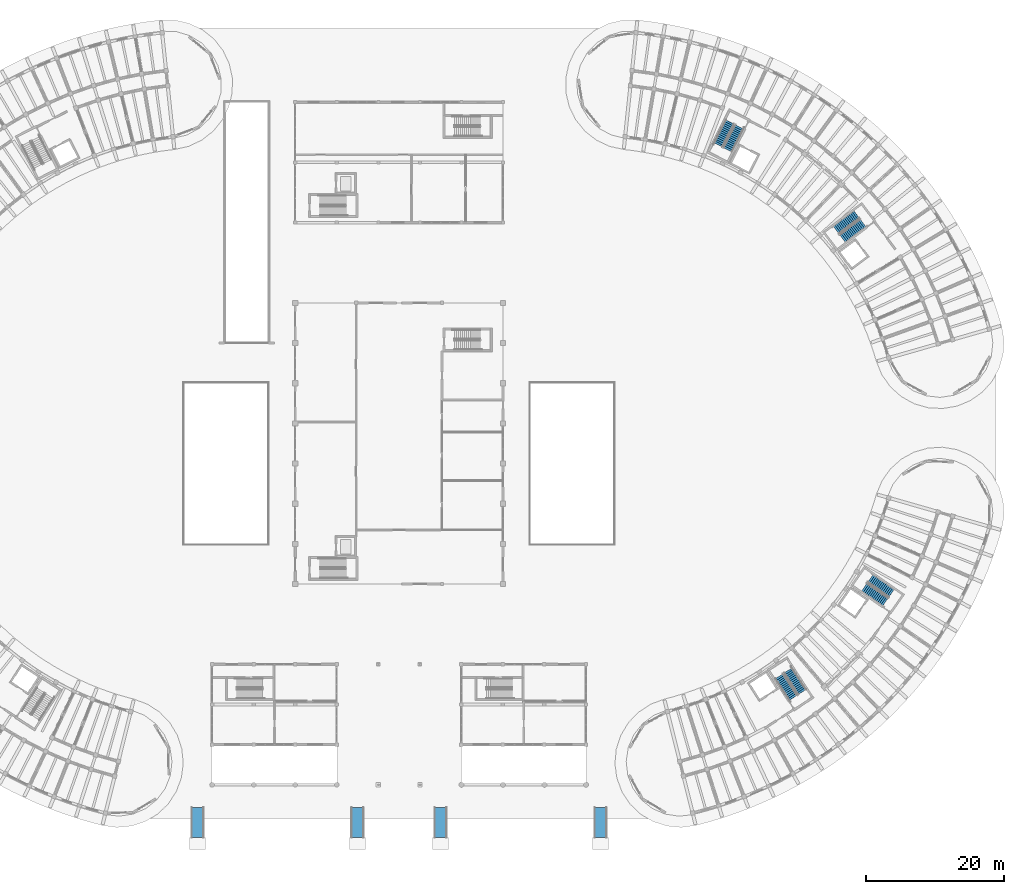
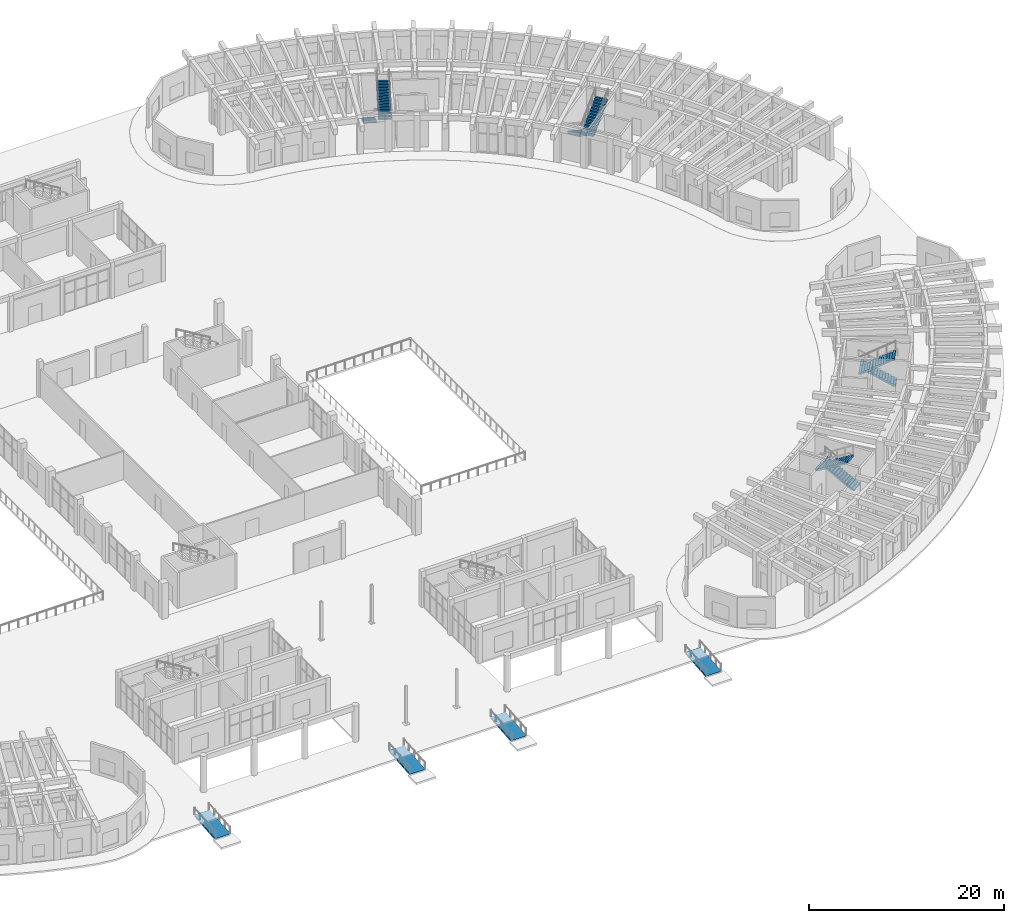
# One storey, part 110 of 132: 8 stair flights, 4 ramp flights, 8 elements without a shape of their own.
"""IFC4 building model written with IfcOpenShell, lengths in metres."""

from ifc_helpers import new_model, si_unit, direction, frame, origin, place, context, subcontext, project, spatial, polyline, outline, extrude, material, layer, layer_set, type_object, element, aggregate, save


model = new_model("IFC4")

# Units and contexts
model_context = context("Model", 3, precision=1e-05, world=origin(), true_north=direction((0.0, 1.0)))
body_context = subcontext(model_context, "Body", "Model", "MODEL_VIEW")
ifc_project = project(units=[si_unit("LENGTHUNIT", "METRE"), si_unit("AREAUNIT", "SQUARE_METRE"), si_unit("VOLUMEUNIT", "CUBIC_METRE"), si_unit("PLANEANGLEUNIT", "RADIAN"), si_unit("MASSUNIT", "GRAM", prefix="KILO")], contexts=[model_context])

# Site, building, storey
site_placement = place(None, origin())
site = spatial("IfcSite", under=ifc_project, at=site_placement, CompositionType="ELEMENT")
building_placement = place(site_placement, origin())
building = spatial("IfcBuilding", under=site, at=building_placement, Name="Tanwirah Colonnade Gardens", CompositionType="ELEMENT")
storey_placement = place(building_placement, origin())
storey = spatial("IfcBuildingStorey", under=building, at=storey_placement, Name="L00", CompositionType="ELEMENT", Elevation=0.0)

# Stair, stair flights
ifc_material_1 = material(Name="Precast concrete C40/50", Category="concrete")
stair_type = type_object("IfcStairType", Name="ST-RES170", PredefinedType="HALF_TURN_STAIR", material=ifc_material_1)
stair_1_placement = place(storey_placement, origin())
stair_1 = element("IfcStair", 1, at=stair_1_placement, inside=storey, type_object=stair_type, Name="L00 Block B Core 1 Exit Stair", PredefinedType="HALF_TURN_STAIR")
ifc_layer_1 = layer(ifc_material_1, 0.1650390625)
ifc_layer_set_1 = layer_set([ifc_layer_1], Name="Precast concrete C40/50")
stair_flight_type = type_object("IfcStairFlightType", Name="FLT-RES165", PredefinedType="STRAIGHT", material=ifc_layer_set_1)
stair_flight_1_placement = place(storey_placement, frame((159.079345703125, 93.16455078125, 0.0), z_axis=(0.0, 0.0, 1.0), x_axis=(-0.798635510047, -0.601815023152, 0.0)))
stair_flight_1 = element("IfcStairFlight", 2, at=stair_flight_1_placement, type_object=stair_flight_type, Name="ST-B1 flight 1", NumberOfRisers=14, NumberOfTreads=13, PredefinedType="STRAIGHT", RiserHeight=0.17, TreadLength=0.285, context=body_context, shape_type="SweptSolid", body=[
    extrude(outline(polyline([(-0.0048828125, 0.0), (0.0, 0.169921875), (0.284912109375, 0.169921875), (0.284912109375, 0.340087890625), (0.570068359375, 0.340087890625), (0.570068359375, 0.510009765625), (0.85498046875, 0.510009765625), (0.85498046875, 0.679931640625), (1.139892578125, 0.679931640625), (1.139892578125, 0.85009765625), (1.425048828125, 0.85009765625), (1.425048828125, 1.02001953125), (1.7099609375, 1.02001953125), (1.7099609375, 1.18994140625), (1.9951171875, 1.18994140625), (1.9951171875, 1.360107421875), (2.280029296875, 1.360107421875), (2.280029296875, 1.530029296875), (2.56494140625, 1.530029296875), (2.56494140625, 1.699951171875), (2.85009765625, 1.699951171875), (2.85009765625, 1.8701171875), (3.135009765625, 1.8701171875), (3.135009765625, 2.0400390625), (3.419921875, 2.0400390625), (3.419921875, 2.2099609375), (3.705078125, 2.2099609375), (3.7099609375, 2.3798828125), (3.7099609375, 2.017822265625), (0.3271484375, 0.0), (-0.0048828125, 0.0)])), frame((0.0, 0.68994140625, 0.0), z_axis=(0.0, -1.0, 0.0), x_axis=(1.0, 0.0, 0.0)), (0.0, 0.0, 1.0), 1.3798828125),
])
stair_flight_2_placement = place(storey_placement, frame((157.047119140625, 89.704833984375, 2.3798828125), z_axis=(0.0, 0.0, 1.0), x_axis=(0.798635510047, 0.601815023152, 0.0)))
stair_flight_2 = element("IfcStairFlight", 3, at=stair_flight_2_placement, type_object=stair_flight_type, Name="ST-B1 flight 2", NumberOfRisers=14, NumberOfTreads=13, PredefinedType="STRAIGHT", RiserHeight=0.17, TreadLength=0.285, context=body_context, shape_type="SweptSolid", body=[
    extrude(outline(polyline([(-0.0048828125, 0.0), (0.0, 0.169921875), (0.284912109375, 0.169921875), (0.284912109375, 0.340087890625), (0.570068359375, 0.340087890625), (0.570068359375, 0.510009765625), (0.85498046875, 0.510009765625), (0.85498046875, 0.679931640625), (1.139892578125, 0.679931640625), (1.139892578125, 0.85009765625), (1.425048828125, 0.85009765625), (1.425048828125, 1.02001953125), (1.7099609375, 1.02001953125), (1.7099609375, 1.18994140625), (1.9951171875, 1.18994140625), (1.9951171875, 1.360107421875), (2.280029296875, 1.360107421875), (2.280029296875, 1.530029296875), (2.56494140625, 1.530029296875), (2.56494140625, 1.699951171875), (2.85009765625, 1.699951171875), (2.85009765625, 1.8701171875), (3.135009765625, 1.8701171875), (3.135009765625, 2.0400390625), (3.419921875, 2.0400390625), (3.419921875, 2.2099609375), (3.705078125, 2.2099609375), (3.7099609375, 2.3798828125), (3.7099609375, 2.017822265625), (0.3271484375, 0.0), (-0.0048828125, 0.0)])), frame((0.0, 0.68994140625, 0.0), z_axis=(0.0, -1.0, 0.0), x_axis=(1.0, 0.0, 0.0)), (0.0, 0.0, 1.0), 1.3798828125),
])
aggregate(stair_1, [stair_flight_1, stair_flight_2])

stair_2_placement = place(storey_placement, origin())
stair_2 = element("IfcStair", 4, at=stair_2_placement, inside=storey, type_object=stair_type, Name="L00 Block B Core 2 Exit Stair", PredefinedType="HALF_TURN_STAIR")
stair_flight_3_placement = place(storey_placement, frame((140.774658203125, 106.521240234375, 0.0), z_axis=(0.0, 0.0, 1.0), x_axis=(-0.45399049974, -0.891006524188, 0.0)))
stair_flight_3 = element("IfcStairFlight", 5, at=stair_flight_3_placement, type_object=stair_flight_type, Name="ST-B2 flight 1", NumberOfRisers=14, NumberOfTreads=13, PredefinedType="STRAIGHT", RiserHeight=0.17, TreadLength=0.285, context=body_context, shape_type="SweptSolid", body=[
    extrude(outline(polyline([(-0.0048828125, 0.0), (0.0, 0.169921875), (0.284912109375, 0.169921875), (0.284912109375, 0.340087890625), (0.570068359375, 0.340087890625), (0.570068359375, 0.510009765625), (0.85498046875, 0.510009765625), (0.85498046875, 0.679931640625), (1.139892578125, 0.679931640625), (1.139892578125, 0.85009765625), (1.425048828125, 0.85009765625), (1.425048828125, 1.02001953125), (1.7099609375, 1.02001953125), (1.7099609375, 1.18994140625), (1.9951171875, 1.18994140625), (1.9951171875, 1.360107421875), (2.280029296875, 1.360107421875), (2.280029296875, 1.530029296875), (2.56494140625, 1.530029296875), (2.56494140625, 1.699951171875), (2.85009765625, 1.699951171875), (2.85009765625, 1.8701171875), (3.135009765625, 1.8701171875), (3.135009765625, 2.0400390625), (3.419921875, 2.0400390625), (3.419921875, 2.2099609375), (3.705078125, 2.2099609375), (3.7099609375, 2.3798828125), (3.7099609375, 2.017822265625), (0.3271484375, 0.0), (-0.0048828125, 0.0)])), frame((0.0, 0.68994140625, 0.0), z_axis=(0.0, -1.0, 0.0), x_axis=(1.0, 0.0, 0.0)), (0.0, 0.0, 1.0), 1.3798828125),
])
stair_flight_4_placement = place(storey_placement, frame((140.46484375, 102.520751953125, 2.3798828125), z_axis=(0.0, 0.0, 1.0), x_axis=(0.45399049974, 0.891006524188, 0.0)))
stair_flight_4 = element("IfcStairFlight", 6, at=stair_flight_4_placement, type_object=stair_flight_type, Name="ST-B2 flight 2", NumberOfRisers=14, NumberOfTreads=13, PredefinedType="STRAIGHT", RiserHeight=0.17, TreadLength=0.285, context=body_context, shape_type="SweptSolid", body=[
    extrude(outline(polyline([(-0.0048828125, 0.0), (0.0, 0.169921875), (0.284912109375, 0.169921875), (0.284912109375, 0.340087890625), (0.570068359375, 0.340087890625), (0.570068359375, 0.510009765625), (0.85498046875, 0.510009765625), (0.85498046875, 0.679931640625), (1.139892578125, 0.679931640625), (1.139892578125, 0.85009765625), (1.425048828125, 0.85009765625), (1.425048828125, 1.02001953125), (1.7099609375, 1.02001953125), (1.7099609375, 1.18994140625), (1.9951171875, 1.18994140625), (1.9951171875, 1.360107421875), (2.280029296875, 1.360107421875), (2.280029296875, 1.530029296875), (2.56494140625, 1.530029296875), (2.56494140625, 1.699951171875), (2.85009765625, 1.699951171875), (2.85009765625, 1.8701171875), (3.135009765625, 1.8701171875), (3.135009765625, 2.0400390625), (3.419921875, 2.0400390625), (3.419921875, 2.2099609375), (3.705078125, 2.2099609375), (3.7099609375, 2.3798828125), (3.7099609375, 2.017822265625), (0.3271484375, 0.0), (-0.0048828125, 0.0)])), frame((0.0, 0.68994140625, 0.0), z_axis=(0.0, -1.0, 0.0), x_axis=(1.0, 0.0, 0.0)), (0.0, 0.0, 1.0), 1.3798828125),
])
aggregate(stair_2, [stair_flight_3, stair_flight_4])

stair_3_placement = place(storey_placement, origin())
stair_3 = element("IfcStair", 7, at=stair_3_placement, inside=storey, type_object=stair_type, Name="L00 Block D Core 1 Exit Stair", PredefinedType="HALF_TURN_STAIR")
stair_flight_5_placement = place(storey_placement, frame((151.22802734375, 24.214111328125, 0.0), z_axis=(0.0, 0.0, 1.0), x_axis=(-0.544639035015, 0.838670567945, 0.0)))
stair_flight_5 = element("IfcStairFlight", 8, at=stair_flight_5_placement, type_object=stair_flight_type, Name="ST-D1 flight 1", NumberOfRisers=14, NumberOfTreads=13, PredefinedType="STRAIGHT", RiserHeight=0.17, TreadLength=0.285, context=body_context, shape_type="SweptSolid", body=[
    extrude(outline(polyline([(-0.0048828125, 0.0), (0.0, 0.169921875), (0.284912109375, 0.169921875), (0.284912109375, 0.340087890625), (0.570068359375, 0.340087890625), (0.570068359375, 0.510009765625), (0.85498046875, 0.510009765625), (0.85498046875, 0.679931640625), (1.139892578125, 0.679931640625), (1.139892578125, 0.85009765625), (1.425048828125, 0.85009765625), (1.425048828125, 1.02001953125), (1.7099609375, 1.02001953125), (1.7099609375, 1.18994140625), (1.9951171875, 1.18994140625), (1.9951171875, 1.360107421875), (2.280029296875, 1.360107421875), (2.280029296875, 1.530029296875), (2.56494140625, 1.530029296875), (2.56494140625, 1.699951171875), (2.85009765625, 1.699951171875), (2.85009765625, 1.8701171875), (3.135009765625, 1.8701171875), (3.135009765625, 2.0400390625), (3.419921875, 2.0400390625), (3.419921875, 2.2099609375), (3.705078125, 2.2099609375), (3.7099609375, 2.3798828125), (3.7099609375, 2.017822265625), (0.3271484375, 0.0), (-0.0048828125, 0.0)])), frame((0.0, 0.68994140625, 0.0), z_axis=(0.0, -1.0, 0.0), x_axis=(1.0, 0.0, 0.0)), (0.0, 0.0, 1.0), 1.3798828125),
])
stair_flight_6_placement = place(storey_placement, frame((147.91845703125, 26.482666015625, 2.3798828125), z_axis=(0.0, 0.0, 1.0), x_axis=(0.544639035015, -0.838670567945, 0.0)))
stair_flight_6 = element("IfcStairFlight", 9, at=stair_flight_6_placement, type_object=stair_flight_type, Name="ST-D1 flight 2", NumberOfRisers=14, NumberOfTreads=13, PredefinedType="STRAIGHT", RiserHeight=0.17, TreadLength=0.285, context=body_context, shape_type="SweptSolid", body=[
    extrude(outline(polyline([(-0.0048828125, 0.0), (0.0, 0.169921875), (0.284912109375, 0.169921875), (0.284912109375, 0.340087890625), (0.570068359375, 0.340087890625), (0.570068359375, 0.510009765625), (0.85498046875, 0.510009765625), (0.85498046875, 0.679931640625), (1.139892578125, 0.679931640625), (1.139892578125, 0.85009765625), (1.425048828125, 0.85009765625), (1.425048828125, 1.02001953125), (1.7099609375, 1.02001953125), (1.7099609375, 1.18994140625), (1.9951171875, 1.18994140625), (1.9951171875, 1.360107421875), (2.280029296875, 1.360107421875), (2.280029296875, 1.530029296875), (2.56494140625, 1.530029296875), (2.56494140625, 1.699951171875), (2.85009765625, 1.699951171875), (2.85009765625, 1.8701171875), (3.135009765625, 1.8701171875), (3.135009765625, 2.0400390625), (3.419921875, 2.0400390625), (3.419921875, 2.2099609375), (3.705078125, 2.2099609375), (3.7099609375, 2.3798828125), (3.7099609375, 2.017822265625), (0.3271484375, 0.0), (-0.0048828125, 0.0)])), frame((0.0, 0.68994140625, 0.0), z_axis=(0.0, -1.0, 0.0), x_axis=(1.0, 0.0, 0.0)), (0.0, 0.0, 1.0), 1.3798828125),
])
aggregate(stair_3, [stair_flight_5, stair_flight_6])

stair_4_placement = place(storey_placement, origin())
stair_4 = element("IfcStair", 10, at=stair_4_placement, inside=storey, type_object=stair_type, Name="L00 Block D Core 2 Exit Stair", PredefinedType="HALF_TURN_STAIR")
stair_flight_7_placement = place(storey_placement, frame((164.1181640625, 38.47119140625, 0.0), z_axis=(0.0, 0.0, 1.0), x_axis=(-0.819152044289, 0.573576436351, 0.0)))
stair_flight_7 = element("IfcStairFlight", 11, at=stair_flight_7_placement, type_object=stair_flight_type, Name="ST-D2 flight 1", NumberOfRisers=14, NumberOfTreads=13, PredefinedType="STRAIGHT", RiserHeight=0.17, TreadLength=0.285, context=body_context, shape_type="SweptSolid", body=[
    extrude(outline(polyline([(-0.0048828125, 0.0), (0.0, 0.169921875), (0.284912109375, 0.169921875), (0.284912109375, 0.340087890625), (0.570068359375, 0.340087890625), (0.570068359375, 0.510009765625), (0.85498046875, 0.510009765625), (0.85498046875, 0.679931640625), (1.139892578125, 0.679931640625), (1.139892578125, 0.85009765625), (1.425048828125, 0.85009765625), (1.425048828125, 1.02001953125), (1.7099609375, 1.02001953125), (1.7099609375, 1.18994140625), (1.9951171875, 1.18994140625), (1.9951171875, 1.360107421875), (2.280029296875, 1.360107421875), (2.280029296875, 1.530029296875), (2.56494140625, 1.530029296875), (2.56494140625, 1.699951171875), (2.85009765625, 1.699951171875), (2.85009765625, 1.8701171875), (3.135009765625, 1.8701171875), (3.135009765625, 2.0400390625), (3.419921875, 2.0400390625), (3.419921875, 2.2099609375), (3.705078125, 2.2099609375), (3.7099609375, 2.3798828125), (3.7099609375, 2.017822265625), (0.3271484375, 0.0), (-0.0048828125, 0.0)])), frame((0.0, 0.68994140625, 0.0), z_axis=(0.0, -1.0, 0.0), x_axis=(1.0, 0.0, 0.0)), (0.0, 0.0, 1.0), 1.3798828125),
])
stair_flight_8_placement = place(storey_placement, frame((160.199951171875, 39.334716796875, 2.3798828125), z_axis=(0.0, 0.0, 1.0), x_axis=(0.819152044289, -0.573576436351, 0.0)))
stair_flight_8 = element("IfcStairFlight", 12, at=stair_flight_8_placement, type_object=stair_flight_type, Name="ST-D2 flight 2", NumberOfRisers=14, NumberOfTreads=13, PredefinedType="STRAIGHT", RiserHeight=0.17, TreadLength=0.285, context=body_context, shape_type="SweptSolid", body=[
    extrude(outline(polyline([(-0.0048828125, 0.0), (0.0, 0.169921875), (0.284912109375, 0.169921875), (0.284912109375, 0.340087890625), (0.570068359375, 0.340087890625), (0.570068359375, 0.510009765625), (0.85498046875, 0.510009765625), (0.85498046875, 0.679931640625), (1.139892578125, 0.679931640625), (1.139892578125, 0.85009765625), (1.425048828125, 0.85009765625), (1.425048828125, 1.02001953125), (1.7099609375, 1.02001953125), (1.7099609375, 1.18994140625), (1.9951171875, 1.18994140625), (1.9951171875, 1.360107421875), (2.280029296875, 1.360107421875), (2.280029296875, 1.530029296875), (2.56494140625, 1.530029296875), (2.56494140625, 1.699951171875), (2.85009765625, 1.699951171875), (2.85009765625, 1.8701171875), (3.135009765625, 1.8701171875), (3.135009765625, 2.0400390625), (3.419921875, 2.0400390625), (3.419921875, 2.2099609375), (3.705078125, 2.2099609375), (3.7099609375, 2.3798828125), (3.7099609375, 2.017822265625), (0.3271484375, 0.0), (-0.0048828125, 0.0)])), frame((0.0, 0.68994140625, 0.0), z_axis=(0.0, -1.0, 0.0), x_axis=(1.0, 0.0, 0.0)), (0.0, 0.0, 1.0), 1.3798828125),
])
aggregate(stair_4, [stair_flight_7, stair_flight_8])

# Ramp, ramp flight
ifc_material_2 = material(Name="Limestone architectural precast concrete C40/50", Category="masonry")
ramp_type = type_object("IfcRampType", Name="RMP-PED180", PredefinedType="STRAIGHT_RUN_RAMP", material=ifc_material_2)
ramp_1_placement = place(storey_placement, origin())
ramp_1 = element("IfcRamp", 13, at=ramp_1_placement, inside=storey, type_object=ramp_type, Name="Accessible Boulevard Ramp PED-W", PredefinedType="STRAIGHT_RUN_RAMP")
ifc_layer_2 = layer(ifc_material_2, 0.199951171875)
ifc_layer_set_2 = layer_set([ifc_layer_2], Name="Limestone architectural precast concrete C40/50")
ramp_flight_type = type_object("IfcRampFlightType", Name="RFL-PED200", PredefinedType="STRAIGHT", material=ifc_layer_set_2)
ramp_flight_1_placement = place(storey_placement, frame((63.89990234375, 3.176025390625, -0.360107421875), z_axis=(0.0, 0.0, 1.0), x_axis=(0.0, 1.0, 0.0)))
ramp_flight_1 = element("IfcRampFlight", 14, at=ramp_flight_1_placement, type_object=ramp_flight_type, Name="Accessible Boulevard Ramp PED-W Flight", PredefinedType="STRAIGHT", context=body_context, shape_type="SweptSolid", body=[
    extrude(outline(polyline([(0.0, 0.0), (4.327880859375, 0.360107421875), (4.327880859375, 0.16015625), (0.0, -0.199951171875), (0.0, 0.0)])), frame((0.0, 0.89990234375, 0.0), z_axis=(0.0, -1.0, 0.0), x_axis=(1.0, 0.0, 0.0)), (0.0, 0.0, 1.0), 1.800048828125),
])
aggregate(ramp_1, [ramp_flight_1])

ramp_2_placement = place(storey_placement, origin())
ramp_2 = element("IfcRamp", 15, at=ramp_2_placement, inside=storey, type_object=ramp_type, Name="Accessible Boulevard Ramp PED-CW", PredefinedType="STRAIGHT_RUN_RAMP")
ramp_flight_2_placement = place(storey_placement, frame((87.0, 3.176025390625, -0.360107421875), z_axis=(0.0, 0.0, 1.0), x_axis=(0.0, 1.0, 0.0)))
ramp_flight_2 = element("IfcRampFlight", 16, at=ramp_flight_2_placement, type_object=ramp_flight_type, Name="Accessible Boulevard Ramp PED-CW Flight", PredefinedType="STRAIGHT", context=body_context, shape_type="SweptSolid", body=[
    extrude(outline(polyline([(0.0, 0.0), (4.327880859375, 0.360107421875), (4.327880859375, 0.16015625), (0.0, -0.199951171875), (0.0, 0.0)])), frame((0.0, 0.89990234375, 0.0), z_axis=(0.0, -1.0, 0.0), x_axis=(1.0, 0.0, 0.0)), (0.0, 0.0, 1.0), 1.800048828125),
])
aggregate(ramp_2, [ramp_flight_2])

ramp_3_placement = place(storey_placement, origin())
ramp_3 = element("IfcRamp", 17, at=ramp_3_placement, inside=storey, type_object=ramp_type, Name="Accessible Boulevard Ramp PED-CE", PredefinedType="STRAIGHT_RUN_RAMP")
ramp_flight_3_placement = place(storey_placement, frame((99.0, 3.176025390625, -0.360107421875), z_axis=(0.0, 0.0, 1.0), x_axis=(0.0, 1.0, 0.0)))
ramp_flight_3 = element("IfcRampFlight", 18, at=ramp_flight_3_placement, type_object=ramp_flight_type, Name="Accessible Boulevard Ramp PED-CE Flight", PredefinedType="STRAIGHT", context=body_context, shape_type="SweptSolid", body=[
    extrude(outline(polyline([(0.0, 0.0), (4.327880859375, 0.360107421875), (4.327880859375, 0.16015625), (0.0, -0.199951171875), (0.0, 0.0)])), frame((0.0, 0.89990234375, 0.0), z_axis=(0.0, -1.0, 0.0), x_axis=(1.0, 0.0, 0.0)), (0.0, 0.0, 1.0), 1.800048828125),
])
aggregate(ramp_3, [ramp_flight_3])

ramp_4_placement = place(storey_placement, origin())
ramp_4 = element("IfcRamp", 19, at=ramp_4_placement, inside=storey, type_object=ramp_type, Name="Accessible Boulevard Ramp PED-E", PredefinedType="STRAIGHT_RUN_RAMP")
ramp_flight_4_placement = place(storey_placement, frame((122.10009765625, 3.176025390625, -0.360107421875), z_axis=(0.0, 0.0, 1.0), x_axis=(0.0, 1.0, 0.0)))
ramp_flight_4 = element("IfcRampFlight", 20, at=ramp_flight_4_placement, type_object=ramp_flight_type, Name="Accessible Boulevard Ramp PED-E Flight", PredefinedType="STRAIGHT", context=body_context, shape_type="SweptSolid", body=[
    extrude(outline(polyline([(0.0, 0.0), (4.327880859375, 0.360107421875), (4.327880859375, 0.16015625), (0.0, -0.199951171875), (0.0, 0.0)])), frame((0.0, 0.89990234375, 0.0), z_axis=(0.0, -1.0, 0.0), x_axis=(1.0, 0.0, 0.0)), (0.0, 0.0, 1.0), 1.800048828125),
])
aggregate(ramp_4, [ramp_flight_4])

save(model, "model.ifc")
